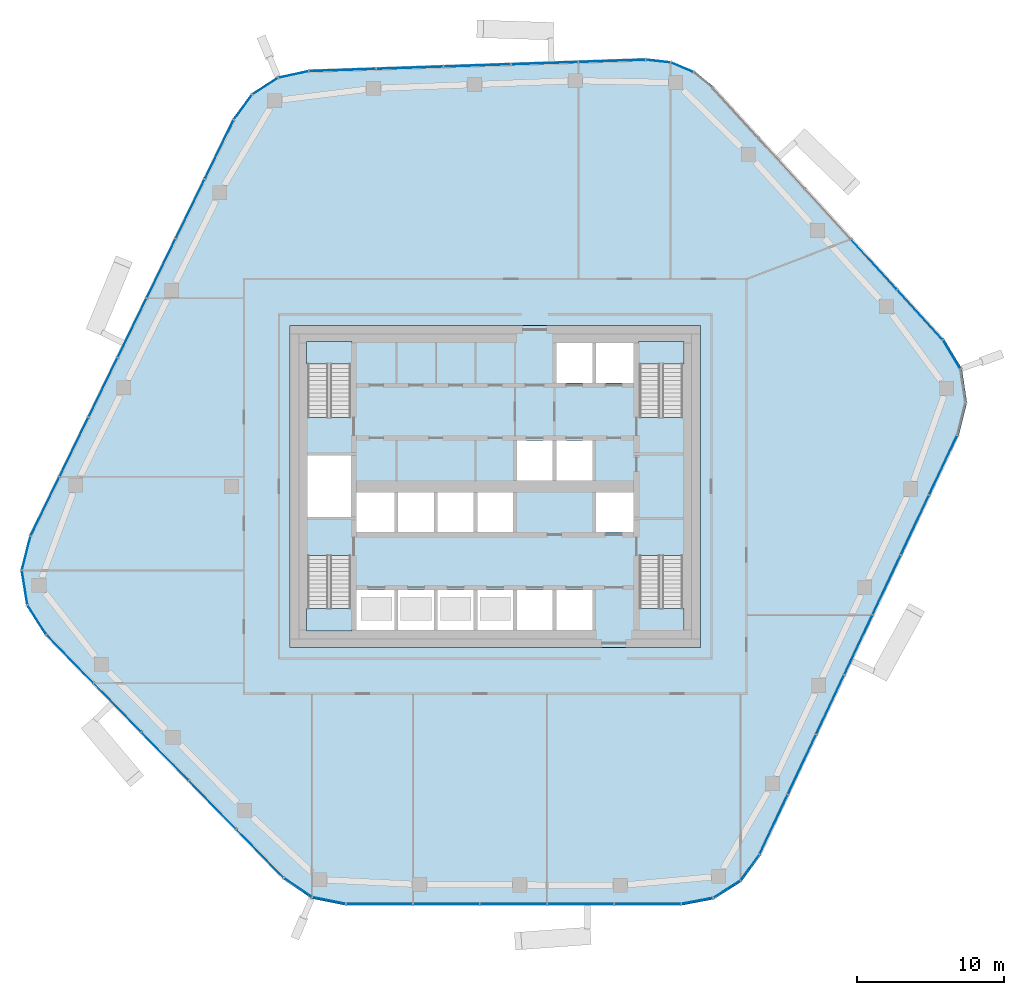
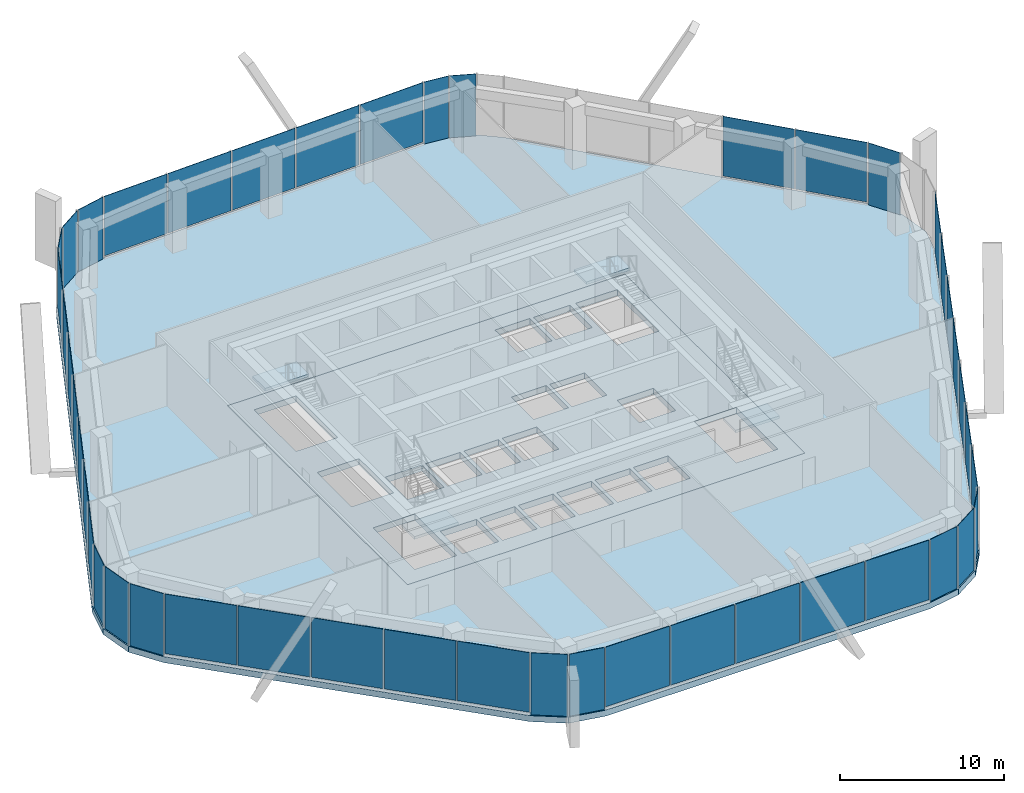
# One storey, part 8 of 20: 45 plates, 6 slabs, 16 elements without a shape of their own.
"""IFC4 building model written with IfcOpenShell, lengths in metres."""

import ifcopenshell
import ifcopenshell.guid

model = None  # the IFC model being written
_history = None  # IfcOwnerHistory: only IFC2X3 demands one
_inside = {}  # id of a spatial element -> (the spatial element, [elements in it])
_under = {}  # id of a project, library or spatial element -> (it, [spatial elements below it])
_declared = {}  # id of a project -> (the project, [libraries it declares])
_typed = {}  # id of a type object -> (the type object, [elements of that type])
_made_of = {}  # id of a material, layer set ... -> (it, [elements and type objects made of it])


def new_model(schema):
    """Start an empty IFC model of exactly this schema.

    Asked for "IFC4X3", IfcOpenShell would pick the latest addendum, in which some entities
    have other attributes; the version numbers below select the first issue.
    IFC2X3 requires an IfcOwnerHistory on every rooted entity: one is made here for all.
    """
    global model, _history
    if schema == "IFC4X3":
        model = ifcopenshell.file(schema_version=(4, 3, 0, 0))
    else:
        model = ifcopenshell.file(schema=schema)
    _inside.clear()
    _under.clear()
    _declared.clear()
    _typed.clear()
    _made_of.clear()
    _history = None
    if model.schema == "IFC2X3":
        org = make("IfcOrganization", Name="unknown")
        user = make(
            "IfcPersonAndOrganization",
            ThePerson=make("IfcPerson", FamilyName="unknown"),
            TheOrganization=org,
        )
        app = make(
            "IfcApplication",
            ApplicationDeveloper=org,
            Version="unknown",
            ApplicationFullName="unknown",
            ApplicationIdentifier="unknown",
        )
        _history = make(
            "IfcOwnerHistory",
            OwningUser=user,
            OwningApplication=app,
            ChangeAction="ADDED",
            CreationDate=0,
        )
    return model


def make(cls, **values):
    """One entity of the class cls with the attributes given. An attribute that is None is left unset."""
    return model.create_entity(
        cls, **{name: value for name, value in values.items() if value is not None}
    )


def rooted(cls, **values):
    """An entity with a GlobalId (a new one), such as an element, a storey or a relation."""
    return make(cls, GlobalId=ifcopenshell.guid.new(), OwnerHistory=_history, **values)


def si_unit(unit_type, name, prefix=None):
    """IfcSIUnit, for example si_unit("LENGTHUNIT", "METRE", prefix="MILLI")."""
    return make("IfcSIUnit", UnitType=unit_type, Prefix=prefix, Name=name)


def assignment(units):
    """IfcUnitAssignment: the units of a project."""
    return None if units is None else make("IfcUnitAssignment", Units=units)


def point(xyz):
    """IfcCartesianPoint."""
    return None if xyz is None else make("IfcCartesianPoint", Coordinates=xyz)


def direction(xyz):
    """IfcDirection."""
    return None if xyz is None else make("IfcDirection", DirectionRatios=xyz)


def frame(location, z_axis=None, x_axis=None):
    """IfcAxis2Placement3D, a coordinate frame: its origin and axes. An axis left out is left unset."""
    return make(
        "IfcAxis2Placement3D",
        Location=point(location),
        Axis=direction(z_axis),
        RefDirection=direction(x_axis),
    )


def frame_2d(location, x_axis=None):
    """IfcAxis2Placement2D, a coordinate frame in the plane: its origin and x axis."""
    return make(
        "IfcAxis2Placement2D", Location=point(location), RefDirection=direction(x_axis)
    )


def origin():
    """The frame at (0, 0, 0) with its axes left unset."""
    return frame((0.0, 0.0, 0.0))


def origin_2d():
    """The frame at (0, 0) in the plane with its x axis left unset."""
    return frame_2d((0.0, 0.0))


def place(relative_to, where):
    """IfcLocalPlacement: puts the frame where relative to a parent placement (None: the world)."""
    return make(
        "IfcLocalPlacement", PlacementRelTo=relative_to, RelativePlacement=where
    )


def context(
    kind, dimensions, precision=None, world=None, true_north=None, identifier=None
):
    """IfcGeometricRepresentationContext, for example the 3D "Model" context."""
    return make(
        "IfcGeometricRepresentationContext",
        ContextIdentifier=identifier,
        ContextType=kind,
        CoordinateSpaceDimension=dimensions,
        Precision=precision,
        WorldCoordinateSystem=world,
        TrueNorth=true_north,
    )


def subcontext(parent, identifier, kind, view, scale=None):
    """IfcGeometricRepresentationSubContext, for example "Body" below "Model"."""
    return make(
        "IfcGeometricRepresentationSubContext",
        ContextIdentifier=identifier,
        ContextType=kind,
        ParentContext=parent,
        TargetScale=scale,
        TargetView=view,
    )


def project(units=None, contexts=None):
    """IfcProject with its units and contexts."""
    return rooted(
        "IfcProject",
        Name="project",
        RepresentationContexts=contexts,
        UnitsInContext=assignment(units),
    )


def spatial(cls, under=None, at=None, **own):
    """A site, building, storey or space (cls), placed at a placement, below another one or the project."""
    s = rooted(cls, ObjectPlacement=at, **own)
    if under is not None:
        _under.setdefault(under.id(), (under, []))[1].append(s)
    return s


def polyline(points):
    """IfcPolyline through the points."""
    return make("IfcPolyline", Points=[point(p) for p in points])


def profile(cls, at=None, kind="AREA", **sizes):
    """A parametric profile (cls). Its sizes go by their IFC names, for example OverallWidth=200.0."""
    return make(cls, ProfileType=kind, Position=at, **sizes)


def rectangle(**sizes):
    """IfcRectangleProfileDef."""
    return profile("IfcRectangleProfileDef", **sizes)


def outline(outer, holes=None, kind="AREA"):
    """IfcArbitraryClosedProfileDef: a profile drawn as a closed curve; with holes, ...WithVoids."""
    if holes is None:
        return make("IfcArbitraryClosedProfileDef", ProfileType=kind, OuterCurve=outer)
    return make(
        "IfcArbitraryProfileDefWithVoids",
        ProfileType=kind,
        OuterCurve=outer,
        InnerCurves=holes,
    )


def extrude(swept, where, along, depth):
    """IfcExtrudedAreaSolid: the profile swept, set in the frame where, extruded along a direction by depth."""
    return make(
        "IfcExtrudedAreaSolid",
        SweptArea=swept,
        Position=where,
        ExtrudedDirection=direction(along),
        Depth=depth,
    )


def shape(context_of_items, identifier, shape_type, items):
    """IfcShapeRepresentation: the items that make up one representation, for example the "Body"."""
    return make(
        "IfcShapeRepresentation",
        ContextOfItems=context_of_items,
        RepresentationIdentifier=identifier,
        RepresentationType=shape_type,
        Items=items,
    )


def material(Name=None, Category=None):
    """IfcMaterial."""
    return make("IfcMaterial", Name=Name, Category=Category)


def layer(
    of_material, thickness, ventilated=None, Name=None, Category=None, Priority=None
):
    """IfcMaterialLayer: one layer of a wall or slab, of a material (None: an air gap)."""
    return make(
        "IfcMaterialLayer",
        Material=of_material,
        LayerThickness=thickness,
        IsVentilated=ventilated,
        Name=Name,
        Category=Category,
        Priority=Priority,
    )


def layer_set(layers, Name=None):
    """IfcMaterialLayerSet."""
    return make("IfcMaterialLayerSet", MaterialLayers=layers, LayerSetName=Name)


def made_of(thing, what):
    """Note that an element or type object is made of a material, layer set ...; save() writes the relation."""
    if what is not None:
        _made_of.setdefault(what.id(), (what, []))[1].append(thing)
    return thing


def type_object(cls, material=None, **own):
    """A type object (cls), such as IfcWallType, which elements share."""
    return made_of(rooted(cls, **own), material)


def element(
    cls,
    number,
    at=None,
    inside=None,
    cuts=None,
    type_object=None,
    material=None,
    context=None,
    identifier="Body",
    shape_type=None,
    held_by="IfcProductDefinitionShape",
    body=None,
    shapes=None,
    **own,
):
    """One element of the class cls, such as IfcWall. Its Tag is "e" and its number.

    at: its placement. inside: the storey or other place that contains it. cuts: it is an
    opening in that element (IfcRelVoidsElement). A single representation is given by context,
    identifier, shape_type and body (its items); several are given by shapes. held_by: the class
    of the entity that holds the representations. save() writes the other relations.
    """
    e = rooted(cls, Tag="e%d" % number, ObjectPlacement=at, **own)
    if body is not None:
        shapes = [shape(context, identifier, shape_type, body)]
    if shapes is not None:
        e.Representation = make(held_by, Representations=shapes)
    if inside is not None:
        _inside.setdefault(inside.id(), (inside, []))[1].append(e)
    if cuts is not None:
        rooted(
            "IfcRelVoidsElement", RelatingBuildingElement=cuts, RelatedOpeningElement=e
        )
    if type_object is not None:
        _typed.setdefault(type_object.id(), (type_object, []))[1].append(e)
    return made_of(e, material)


def aggregate(whole, parts):
    """IfcRelAggregates: a whole, such as a stair, and the parts it consists of."""
    return rooted("IfcRelAggregates", RelatingObject=whole, RelatedObjects=parts)


def save(model, path):
    """Write the relations noted so far, then the file.

    IfcRelAggregates (storeys below a building ...), IfcRelContainedInSpatialStructure (elements
    in a storey), IfcRelDefinesByType, IfcRelAssociatesMaterial and IfcRelDeclares: one each for
    every whole, place, type object, material and project.
    """
    for whole, parts in _under.values():
        aggregate(whole, parts)
    for where, things in _inside.values():
        rooted(
            "IfcRelContainedInSpatialStructure",
            RelatedElements=things,
            RelatingStructure=where,
        )
    for kind, things in _typed.values():
        rooted("IfcRelDefinesByType", RelatedObjects=things, RelatingType=kind)
    for what, things in _made_of.values():
        rooted("IfcRelAssociatesMaterial", RelatedObjects=things, RelatingMaterial=what)
    for by, libraries in _declared.values():
        rooted("IfcRelDeclares", RelatingContext=by, RelatedDefinitions=libraries)
    model.write(path)


model = new_model("IFC4")

# Units and contexts
model_context = context("Model", 3, precision=1e-05, world=origin(), true_north=direction((0.0, 1.0)))
body_context = subcontext(model_context, "Body", "Model", "MODEL_VIEW")
ifc_project = project(units=[si_unit("LENGTHUNIT", "METRE"), si_unit("AREAUNIT", "SQUARE_METRE"), si_unit("VOLUMEUNIT", "CUBIC_METRE"), si_unit("PLANEANGLEUNIT", "RADIAN"), si_unit("MASSUNIT", "GRAM", prefix="KILO")], contexts=[model_context])

# Site, building, storey
site_placement = place(None, origin())
site = spatial("IfcSite", under=ifc_project, at=site_placement, CompositionType="ELEMENT")
building_placement = place(site_placement, origin())
building = spatial("IfcBuilding", under=site, at=building_placement, Name="Dongbaek Canopy Tower", CompositionType="ELEMENT")
storey_placement = place(building_placement, frame((0.0, 0.0, 289.199951171875)))
storey = spatial("IfcBuildingStorey", under=building, at=storey_placement, Name="L61", CompositionType="ELEMENT", Elevation=289.199951171875)

# Curtain wall, plate
ifc_material_1 = material(Name="Aluminium 6063-T6 pale anodised", Category="aluminium")
ifc_layer_1 = layer(ifc_material_1, 0.25)
ifc_layer_set_1 = layer_set([ifc_layer_1], Name="CW-4 sky-lobby curtain wall")
curtain_wall_type = type_object("IfcCurtainWallType", Name="CW-4 sky-lobby curtain wall", PredefinedType="NOTDEFINED", material=ifc_layer_set_1)
curtain_wall_1_placement = place(storey_placement, origin())
curtain_wall_1 = element("IfcCurtainWall", 1, at=curtain_wall_1_placement, inside=storey, type_object=curtain_wall_type, Name="CW-4 curtain wall K0.1", PredefinedType="NOTDEFINED")
ifc_material_2 = material(Name="Clear laminated glass", Category="glass")
ifc_layer_2 = layer(ifc_material_2, 0.035888671875)
ifc_layer_set_2 = layer_set([ifc_layer_2], Name="CW-4 glazed panel 36")
plate_type = type_object("IfcPlateType", Name="CW-4 glazed panel 36", PredefinedType="CURTAIN_PANEL", material=ifc_layer_set_2)
plate_1_placement = place(storey_placement, frame((31.150146484375, 9.005126953125, 0.0), z_axis=(0.0, 0.0, 1.0), x_axis=(-0.51688387345, 0.856055524699, 0.0)))
plate_1 = element("IfcPlate", 2, at=plate_1_placement, type_object=plate_type, Name="CW-4 panel K0.1.3.1", PredefinedType="CURTAIN_PANEL", context=body_context, shape_type="SweptSolid", body=[
    extrude(rectangle(XDim=2.222900390625, YDim=0.035888671875, at=origin_2d()), origin(), (0.0, 0.0, 1.0), 4.6201171875),
])
aggregate(curtain_wall_1, [plate_1])

# Curtain wall, plates
curtain_wall_2_placement = place(storey_placement, origin())
curtain_wall_2 = element("IfcCurtainWall", 3, at=curtain_wall_2_placement, inside=storey, type_object=curtain_wall_type, Name="CW-4 curtain wall F0.1", PredefinedType="NOTDEFINED")
plate_2_placement = place(storey_placement, frame((28.983154296875, 11.714111328125, 0.18017578125), z_axis=(0.0, 0.0, 1.0), x_axis=(-0.674307608715, 0.738450573044, 0.0)))
plate_2 = element("IfcPlate", 4, at=plate_2_placement, type_object=plate_type, Name="CW-4 panel F0.1.1.1", PredefinedType="CURTAIN_PANEL", context=body_context, shape_type="SweptSolid", body=[
    extrude(rectangle(XDim=4.55712890625, YDim=0.035888671875, at=origin_2d()), origin(), (0.0, 0.0, 1.0), 4.43994140625),
])
plate_3_placement = place(storey_placement, frame((25.843505859375, 15.15234375, 0.18017578125), z_axis=(0.0, 0.0, 1.0), x_axis=(-0.674307608715, 0.738450573044, 0.0)))
plate_3 = element("IfcPlate", 5, at=plate_3_placement, type_object=plate_type, Name="CW-4 panel F0.1.2.1", PredefinedType="CURTAIN_PANEL", context=body_context, shape_type="SweptSolid", body=[
    extrude(rectangle(XDim=4.56689453125, YDim=0.035888671875, at=origin_2d()), origin(), (0.0, 0.0, 1.0), 4.43994140625),
])
aggregate(curtain_wall_2, [plate_2, plate_3])

curtain_wall_3_placement = place(storey_placement, origin())
curtain_wall_3 = element("IfcCurtainWall", 6, at=curtain_wall_3_placement, inside=storey, type_object=curtain_wall_type, Name="CW-4 curtain wall K1.1", PredefinedType="NOTDEFINED")
plate_4_placement = place(storey_placement, frame((12.751220703125, 28.60107421875, 0.0), z_axis=(0.0, 0.0, 1.0), x_axis=(-0.921675015451, 0.387962840867, 0.0)))
plate_4 = element("IfcPlate", 7, at=plate_4_placement, type_object=plate_type, Name="CW-4 panel K1.1.2.1", PredefinedType="CURTAIN_PANEL", context=body_context, shape_type="SweptSolid", body=[
    extrude(rectangle(XDim=1.600341796875, YDim=0.035888671875, at=origin_2d()), origin(), (0.0, 0.0, 1.0), 4.6201171875),
])
plate_5_placement = place(storey_placement, frame((11.124755859375, 29.0234375, 0.0), z_axis=(0.0, 0.0, 1.0), x_axis=(-0.993935511515, 0.10996453496, 0.0)))
plate_5 = element("IfcPlate", 8, at=plate_5_placement, type_object=plate_type, Name="CW-4 panel K1.1.3.1", PredefinedType="CURTAIN_PANEL", context=body_context, shape_type="SweptSolid", body=[
    extrude(rectangle(XDim=1.607666015625, YDim=0.035888671875, at=origin_2d()), origin(), (0.0, 0.0, 1.0), 4.6201171875),
])
aggregate(curtain_wall_3, [plate_4, plate_5])

curtain_wall_4_placement = place(storey_placement, origin())
curtain_wall_4 = element("IfcCurtainWall", 9, at=curtain_wall_4_placement, inside=storey, type_object=curtain_wall_type, Name="CW-4 curtain wall F1.1", PredefinedType="NOTDEFINED")
plate_6_placement = place(storey_placement, frame((7.980224609375, 29.0390625, 0.18017578125), z_axis=(0.0, 0.0, 1.0), x_axis=(-0.999424463692, -0.033922579131, 0.0)))
plate_6 = element("IfcPlate", 10, at=plate_6_placement, type_object=plate_type, Name="CW-4 panel F1.1.1.1", PredefinedType="CURTAIN_PANEL", context=body_context, shape_type="SweptSolid", body=[
    extrude(rectangle(XDim=4.506103515625, YDim=0.035888671875, at=origin_2d()), origin(), (0.0, 0.0, 1.0), 4.43994140625),
])
plate_7_placement = place(storey_placement, frame((3.379150390625, 28.8828125, 0.18017578125), z_axis=(0.0, 0.0, 1.0), x_axis=(-0.999424463692, -0.033922579131, 0.0)))
plate_7 = element("IfcPlate", 11, at=plate_7_placement, type_object=plate_type, Name="CW-4 panel F1.1.2.1", PredefinedType="CURTAIN_PANEL", context=body_context, shape_type="SweptSolid", body=[
    extrude(rectangle(XDim=4.513427734375, YDim=0.035888671875, at=origin_2d()), origin(), (0.0, 0.0, 1.0), 4.43994140625),
])
plate_8_placement = place(storey_placement, frame((-1.2255859375, 28.7265625, 0.18017578125), z_axis=(0.0, 0.0, 1.0), x_axis=(-0.999424463692, -0.033922579131, 0.0)))
plate_8 = element("IfcPlate", 12, at=plate_8_placement, type_object=plate_type, Name="CW-4 panel F1.1.3.1", PredefinedType="CURTAIN_PANEL", context=body_context, shape_type="SweptSolid", body=[
    extrude(rectangle(XDim=4.513427734375, YDim=0.035888671875, at=origin_2d()), origin(), (0.0, 0.0, 1.0), 4.43994140625),
])
plate_9_placement = place(storey_placement, frame((-5.830322265625, 28.5703125, 0.18017578125), z_axis=(0.0, 0.0, 1.0), x_axis=(-0.999424463692, -0.033922579131, 0.0)))
plate_9 = element("IfcPlate", 13, at=plate_9_placement, type_object=plate_type, Name="CW-4 panel F1.1.4.1", PredefinedType="CURTAIN_PANEL", context=body_context, shape_type="SweptSolid", body=[
    extrude(rectangle(XDim=4.513427734375, YDim=0.035888671875, at=origin_2d()), origin(), (0.0, 0.0, 1.0), 4.43994140625),
])
plate_10_placement = place(storey_placement, frame((-10.430419921875, 28.4140625, 0.18017578125), z_axis=(0.0, 0.0, 1.0), x_axis=(-0.999424463692, -0.033922579131, 0.0)))
plate_10 = element("IfcPlate", 14, at=plate_10_placement, type_object=plate_type, Name="CW-4 panel F1.1.5.1", PredefinedType="CURTAIN_PANEL", context=body_context, shape_type="SweptSolid", body=[
    extrude(rectangle(XDim=4.50439453125, YDim=0.035888671875, at=origin_2d()), origin(), (0.0, 0.0, 1.0), 4.43994140625),
])
aggregate(curtain_wall_4, [plate_6, plate_7, plate_8, plate_9, plate_10])

curtain_wall_5_placement = place(storey_placement, origin())
curtain_wall_5 = element("IfcCurtainWall", 15, at=curtain_wall_5_placement, inside=storey, type_object=curtain_wall_type, Name="CW-4 curtain wall K2.1", PredefinedType="NOTDEFINED")
plate_11_placement = place(storey_placement, frame((-13.767333984375, 28.10986328125, 0.0), z_axis=(0.0, 0.0, 1.0), x_axis=(-0.977105379608, -0.212755909767, 0.0)))
plate_11 = element("IfcPlate", 16, at=plate_11_placement, type_object=plate_type, Name="CW-4 panel K2.1.1.1", PredefinedType="CURTAIN_PANEL", context=body_context, shape_type="SweptSolid", body=[
    extrude(rectangle(XDim=2.032470703125, YDim=0.035888671875, at=origin_2d()), origin(), (0.0, 0.0, 1.0), 4.6201171875),
])
plate_12_placement = place(storey_placement, frame((-15.694580078125, 27.3076171875, 0.0), z_axis=(0.0, 0.0, 1.0), x_axis=(-0.839015202861, -0.544107975835, 0.0)))
plate_12 = element("IfcPlate", 17, at=plate_12_placement, type_object=plate_type, Name="CW-4 panel K2.1.2.1", PredefinedType="CURTAIN_PANEL", context=body_context, shape_type="SweptSolid", body=[
    extrude(rectangle(XDim=2.0234375, YDim=0.035888671875, at=origin_2d()), origin(), (0.0, 0.0, 1.0), 4.6201171875),
])
plate_13_placement = place(storey_placement, frame((-17.213134765625, 25.875244140625, 0.0), z_axis=(0.0, 0.0, 1.0), x_axis=(-0.592806935689, -0.805344607605, 0.0)))
plate_13 = element("IfcPlate", 18, at=plate_13_placement, type_object=plate_type, Name="CW-4 panel K2.1.3.1", PredefinedType="CURTAIN_PANEL", context=body_context, shape_type="SweptSolid", body=[
    extrude(rectangle(XDim=2.032470703125, YDim=0.035888671875, at=origin_2d()), origin(), (0.0, 0.0, 1.0), 4.6201171875),
])
aggregate(curtain_wall_5, [plate_11, plate_12, plate_13])

curtain_wall_6_placement = place(storey_placement, origin())
curtain_wall_6 = element("IfcCurtainWall", 19, at=curtain_wall_6_placement, inside=storey, type_object=curtain_wall_type, Name="CW-4 curtain wall F2.1", PredefinedType="NOTDEFINED")
plate_14_placement = place(storey_placement, frame((-18.83251953125, 22.992431640625, 0.18017578125), z_axis=(0.0, 0.0, 1.0), x_axis=(-0.438630587215, -0.898667462391, 0.0)))
plate_14 = element("IfcPlate", 20, at=plate_14_placement, type_object=plate_type, Name="CW-4 panel F2.1.1.1", PredefinedType="CURTAIN_PANEL", context=body_context, shape_type="SweptSolid", body=[
    extrude(rectangle(XDim=4.415771484375, YDim=0.035888671875, at=origin_2d()), origin(), (0.0, 0.0, 1.0), 4.43994140625),
])
plate_15_placement = place(storey_placement, frame((-20.8125, 18.935546875, 0.18017578125), z_axis=(0.0, 0.0, 1.0), x_axis=(-0.438630587215, -0.898667462391, 0.0)))
plate_15 = element("IfcPlate", 21, at=plate_15_placement, type_object=plate_type, Name="CW-4 panel F2.1.2.1", PredefinedType="CURTAIN_PANEL", context=body_context, shape_type="SweptSolid", body=[
    extrude(rectangle(XDim=4.4248046875, YDim=0.035888671875, at=origin_2d()), origin(), (0.0, 0.0, 1.0), 4.43994140625),
])
plate_16_placement = place(storey_placement, frame((-22.794677734375, 14.874755859375, 0.18017578125), z_axis=(0.0, 0.0, 1.0), x_axis=(-0.438630587215, -0.898667462391, 0.0)))
plate_16 = element("IfcPlate", 22, at=plate_16_placement, type_object=plate_type, Name="CW-4 panel F2.1.3.1", PredefinedType="CURTAIN_PANEL", context=body_context, shape_type="SweptSolid", body=[
    extrude(rectangle(XDim=4.4248046875, YDim=0.035888671875, at=origin_2d()), origin(), (0.0, 0.0, 1.0), 4.43994140625),
])
plate_17_placement = place(storey_placement, frame((-24.77685546875, 10.813720703125, 0.18017578125), z_axis=(0.0, 0.0, 1.0), x_axis=(-0.438630587215, -0.898667462391, 0.0)))
plate_17 = element("IfcPlate", 23, at=plate_17_placement, type_object=plate_type, Name="CW-4 panel F2.1.4.1", PredefinedType="CURTAIN_PANEL", context=body_context, shape_type="SweptSolid", body=[
    extrude(rectangle(XDim=4.4248046875, YDim=0.035888671875, at=origin_2d()), origin(), (0.0, 0.0, 1.0), 4.43994140625),
])
plate_18_placement = place(storey_placement, frame((-26.759033203125, 6.752685546875, 0.18017578125), z_axis=(0.0, 0.0, 1.0), x_axis=(-0.438630587215, -0.898667462391, 0.0)))
plate_18 = element("IfcPlate", 24, at=plate_18_placement, type_object=plate_type, Name="CW-4 panel F2.1.5.1", PredefinedType="CURTAIN_PANEL", context=body_context, shape_type="SweptSolid", body=[
    extrude(rectangle(XDim=4.4248046875, YDim=0.035888671875, at=origin_2d()), origin(), (0.0, 0.0, 1.0), 4.43994140625),
])
plate_19_placement = place(storey_placement, frame((-28.740966796875, 2.69189453125, 0.18017578125), z_axis=(0.0, 0.0, 1.0), x_axis=(-0.438630587215, -0.898667462391, 0.0)))
plate_19 = element("IfcPlate", 25, at=plate_19_placement, type_object=plate_type, Name="CW-4 panel F2.1.6.1", PredefinedType="CURTAIN_PANEL", context=body_context, shape_type="SweptSolid", body=[
    extrude(rectangle(XDim=4.4248046875, YDim=0.035888671875, at=origin_2d()), origin(), (0.0, 0.0, 1.0), 4.43994140625),
])
plate_20_placement = place(storey_placement, frame((-30.720947265625, -1.364501953125, 0.18017578125), z_axis=(0.0, 0.0, 1.0), x_axis=(-0.438630587215, -0.898667462391, 0.0)))
plate_20 = element("IfcPlate", 26, at=plate_20_placement, type_object=plate_type, Name="CW-4 panel F2.1.7.1", PredefinedType="CURTAIN_PANEL", context=body_context, shape_type="SweptSolid", body=[
    extrude(rectangle(XDim=4.41455078125, YDim=0.035888671875, at=origin_2d()), origin(), (0.0, 0.0, 1.0), 4.43994140625),
])
aggregate(curtain_wall_6, [plate_14, plate_15, plate_16, plate_17, plate_18, plate_19, plate_20])

curtain_wall_7_placement = place(storey_placement, origin())
curtain_wall_7 = element("IfcCurtainWall", 27, at=curtain_wall_7_placement, inside=storey, type_object=curtain_wall_type, Name="CW-4 curtain wall K3.1", PredefinedType="NOTDEFINED")
plate_21_placement = place(storey_placement, frame((-32.0068359375, -4.556640625, 0.0), z_axis=(0.0, 0.0, 1.0), x_axis=(-0.246922769647, -0.969035162329, 0.0)))
plate_21 = element("IfcPlate", 28, at=plate_21_placement, type_object=plate_type, Name="CW-4 panel K3.1.1.1", PredefinedType="CURTAIN_PANEL", context=body_context, shape_type="SweptSolid", body=[
    extrude(rectangle(XDim=2.312744140625, YDim=0.035888671875, at=origin_2d()), origin(), (0.0, 0.0, 1.0), 4.6201171875),
])
plate_22_placement = place(storey_placement, frame((-32.113525390625, -6.905517578125, 0.0), z_axis=(0.0, 0.0, 1.0), x_axis=(0.158961166328, -0.987284836103, 0.0)))
plate_22 = element("IfcPlate", 29, at=plate_22_placement, type_object=plate_type, Name="CW-4 panel K3.1.2.1", PredefinedType="CURTAIN_PANEL", context=body_context, shape_type="SweptSolid", body=[
    extrude(rectangle(XDim=2.30224609375, YDim=0.035888671875, at=origin_2d()), origin(), (0.0, 0.0, 1.0), 4.6201171875),
])
plate_23_placement = place(storey_placement, frame((-31.27490234375, -9.102294921875, 0.0), z_axis=(0.0, 0.0, 1.0), x_axis=(0.538604616357, -0.842558643204, 0.0)))
plate_23 = element("IfcPlate", 30, at=plate_23_placement, type_object=plate_type, Name="CW-4 panel K3.1.3.1", PredefinedType="CURTAIN_PANEL", context=body_context, shape_type="SweptSolid", body=[
    extrude(rectangle(XDim=2.312744140625, YDim=0.035888671875, at=origin_2d()), origin(), (0.0, 0.0, 1.0), 4.6201171875),
])
aggregate(curtain_wall_7, [plate_21, plate_22, plate_23])

curtain_wall_8_placement = place(storey_placement, origin())
curtain_wall_8 = element("IfcCurtainWall", 31, at=curtain_wall_8_placement, inside=storey, type_object=curtain_wall_type, Name="CW-4 curtain wall F3.1", PredefinedType="NOTDEFINED")
plate_24_placement = place(storey_placement, frame((-29.009521484375, -11.773193359375, 0.18017578125), z_axis=(0.0, 0.0, 1.0), x_axis=(0.698537031032, -0.715573906928, 0.0)))
plate_24 = element("IfcPlate", 32, at=plate_24_placement, type_object=plate_type, Name="CW-4 panel F3.1.1.1", PredefinedType="CURTAIN_PANEL", context=body_context, shape_type="SweptSolid", body=[
    extrude(rectangle(XDim=4.53662109375, YDim=0.035888671875, at=origin_2d()), origin(), (0.0, 0.0, 1.0), 4.43994140625),
])
plate_25_placement = place(storey_placement, frame((-25.77099609375, -15.09033203125, 0.18017578125), z_axis=(0.0, 0.0, 1.0), x_axis=(0.698537031032, -0.715573906928, 0.0)))
plate_25 = element("IfcPlate", 33, at=plate_25_placement, type_object=plate_type, Name="CW-4 panel F3.1.2.1", PredefinedType="CURTAIN_PANEL", context=body_context, shape_type="SweptSolid", body=[
    extrude(rectangle(XDim=4.546875, YDim=0.035888671875, at=origin_2d()), origin(), (0.0, 0.0, 1.0), 4.43994140625),
])
plate_26_placement = place(storey_placement, frame((-22.529296875, -18.411376953125, 0.18017578125), z_axis=(0.0, 0.0, 1.0), x_axis=(0.698537031032, -0.715573906928, 0.0)))
plate_26 = element("IfcPlate", 34, at=plate_26_placement, type_object=plate_type, Name="CW-4 panel F3.1.3.1", PredefinedType="CURTAIN_PANEL", context=body_context, shape_type="SweptSolid", body=[
    extrude(rectangle(XDim=4.546875, YDim=0.035888671875, at=origin_2d()), origin(), (0.0, 0.0, 1.0), 4.43994140625),
])
plate_27_placement = place(storey_placement, frame((-19.287353515625, -21.732421875, 0.18017578125), z_axis=(0.0, 0.0, 1.0), x_axis=(0.698537031032, -0.715573906928, 0.0)))
plate_27 = element("IfcPlate", 35, at=plate_27_placement, type_object=plate_type, Name="CW-4 panel F3.1.4.1", PredefinedType="CURTAIN_PANEL", context=body_context, shape_type="SweptSolid", body=[
    extrude(rectangle(XDim=4.546875, YDim=0.035888671875, at=origin_2d()), origin(), (0.0, 0.0, 1.0), 4.43994140625),
])
plate_28_placement = place(storey_placement, frame((-16.048828125, -25.0498046875, 0.18017578125), z_axis=(0.0, 0.0, 1.0), x_axis=(0.698537031032, -0.715573906928, 0.0)))
plate_28 = element("IfcPlate", 36, at=plate_28_placement, type_object=plate_type, Name="CW-4 panel F3.1.5.1", PredefinedType="CURTAIN_PANEL", context=body_context, shape_type="SweptSolid", body=[
    extrude(rectangle(XDim=4.537109375, YDim=0.035888671875, at=origin_2d()), origin(), (0.0, 0.0, 1.0), 4.43994140625),
])
aggregate(curtain_wall_8, [plate_24, plate_25, plate_26, plate_27, plate_28])

curtain_wall_9_placement = place(storey_placement, origin())
curtain_wall_9 = element("IfcCurtainWall", 37, at=curtain_wall_9_placement, inside=storey, type_object=curtain_wall_type, Name="CW-4 curtain wall K4.1", PredefinedType="NOTDEFINED")
plate_29_placement = place(storey_placement, frame((-13.4619140625, -27.3671875, 0.0), z_axis=(0.0, 0.0, 1.0), x_axis=(0.826419234872, -0.563055279909, 0.0)))
plate_29 = element("IfcPlate", 38, at=plate_29_placement, type_object=plate_type, Name="CW-4 panel K4.1.1.1", PredefinedType="CURTAIN_PANEL", context=body_context, shape_type="SweptSolid", body=[
    extrude(rectangle(XDim=2.25244140625, YDim=0.035888671875, at=origin_2d()), origin(), (0.0, 0.0, 1.0), 4.6201171875),
])
plate_30_placement = place(storey_placement, frame((-11.34228515625, -28.260009765625, 0.0), z_axis=(0.0, 0.0, 1.0), x_axis=(0.980196727626, -0.198026198145, 0.0)))
plate_30 = element("IfcPlate", 39, at=plate_30_placement, type_object=plate_type, Name="CW-4 panel K4.1.2.1", PredefinedType="CURTAIN_PANEL", context=body_context, shape_type="SweptSolid", body=[
    extrude(rectangle(XDim=2.25244140625, YDim=0.035888671875, at=origin_2d()), origin(), (0.0, 0.0, 1.0), 4.6201171875),
])
aggregate(curtain_wall_9, [plate_29, plate_30])

curtain_wall_10_placement = place(storey_placement, origin())
curtain_wall_10 = element("IfcCurtainWall", 40, at=curtain_wall_10_placement, inside=storey, type_object=curtain_wall_type, Name="CW-4 curtain wall F4.1", PredefinedType="NOTDEFINED")
plate_31_placement = place(storey_placement, frame((-7.90673828125, -28.492431640625, 0.18017578125), z_axis=(0.0, 0.0, 1.0), x_axis=(0.999999999728, 2.3341283e-05, 0.0)))
plate_31 = element("IfcPlate", 41, at=plate_31_placement, type_object=plate_type, Name="CW-4 panel F4.1.1.1", PredefinedType="CURTAIN_PANEL", context=body_context, shape_type="SweptSolid", body=[
    extrude(rectangle(XDim=4.477294921875, YDim=0.035888671875, at=origin_2d()), origin(), (0.0, 0.0, 1.0), 4.43994140625),
])
plate_32_placement = place(storey_placement, frame((-3.330322265625, -28.4921875, 0.18017578125), z_axis=(0.0, 0.0, 1.0), x_axis=(0.999999999728, 2.3341283e-05, 0.0)))
plate_32 = element("IfcPlate", 42, at=plate_32_placement, type_object=plate_type, Name="CW-4 panel F4.1.2.1", PredefinedType="CURTAIN_PANEL", context=body_context, shape_type="SweptSolid", body=[
    extrude(rectangle(XDim=4.4873046875, YDim=0.035888671875, at=origin_2d()), origin(), (0.0, 0.0, 1.0), 4.43994140625),
])
plate_33_placement = place(storey_placement, frame((1.2509765625, -28.4921875, 0.18017578125), z_axis=(0.0, 0.0, 1.0), x_axis=(0.999999999728, 2.3341283e-05, 0.0)))
plate_33 = element("IfcPlate", 43, at=plate_33_placement, type_object=plate_type, Name="CW-4 panel F4.1.3.1", PredefinedType="CURTAIN_PANEL", context=body_context, shape_type="SweptSolid", body=[
    extrude(rectangle(XDim=4.4873046875, YDim=0.035888671875, at=origin_2d()), origin(), (0.0, 0.0, 1.0), 4.43994140625),
])
plate_34_placement = place(storey_placement, frame((5.832275390625, -28.4921875, 0.18017578125), z_axis=(0.0, 0.0, 1.0), x_axis=(0.999999999728, 2.3341283e-05, 0.0)))
plate_34 = element("IfcPlate", 44, at=plate_34_placement, type_object=plate_type, Name="CW-4 panel F4.1.4.1", PredefinedType="CURTAIN_PANEL", context=body_context, shape_type="SweptSolid", body=[
    extrude(rectangle(XDim=4.4873046875, YDim=0.035888671875, at=origin_2d()), origin(), (0.0, 0.0, 1.0), 4.43994140625),
])
plate_35_placement = place(storey_placement, frame((10.408935546875, -28.491943359375, 0.18017578125), z_axis=(0.0, 0.0, 1.0), x_axis=(0.999999999728, 2.3341283e-05, 0.0)))
plate_35 = element("IfcPlate", 45, at=plate_35_placement, type_object=plate_type, Name="CW-4 panel F4.1.5.1", PredefinedType="CURTAIN_PANEL", context=body_context, shape_type="SweptSolid", body=[
    extrude(rectangle(XDim=4.47802734375, YDim=0.035888671875, at=origin_2d()), origin(), (0.0, 0.0, 1.0), 4.43994140625),
])
aggregate(curtain_wall_10, [plate_31, plate_32, plate_33, plate_34, plate_35])

curtain_wall_11_placement = place(storey_placement, origin())
curtain_wall_11 = element("IfcCurtainWall", 46, at=curtain_wall_11_placement, inside=storey, type_object=curtain_wall_type, Name="CW-4 curtain wall K5.1", PredefinedType="NOTDEFINED")
plate_36_placement = place(storey_placement, frame((13.7841796875, -28.2841796875, 0.0), z_axis=(0.0, 0.0, 1.0), x_axis=(0.982316990713, 0.187225344858, 0.0)))
plate_36 = element("IfcPlate", 47, at=plate_36_placement, type_object=plate_type, Name="CW-4 panel K5.1.1.1", PredefinedType="CURTAIN_PANEL", context=body_context, shape_type="SweptSolid", body=[
    extrude(rectangle(XDim=2.1240234375, YDim=0.035888671875, at=origin_2d()), origin(), (0.0, 0.0, 1.0), 4.6201171875),
])
plate_37_placement = place(storey_placement, frame((15.80615234375, -27.485595703125, 0.0), z_axis=(0.0, 0.0, 1.0), x_axis=(0.844608059168, 0.535385119692, 0.0)))
plate_37 = element("IfcPlate", 48, at=plate_37_placement, type_object=plate_type, Name="CW-4 panel K5.1.2.1", PredefinedType="CURTAIN_PANEL", context=body_context, shape_type="SweptSolid", body=[
    extrude(rectangle(XDim=2.1142578125, YDim=0.035888671875, at=origin_2d()), origin(), (0.0, 0.0, 1.0), 4.6201171875),
])
plate_38_placement = place(storey_placement, frame((17.391357421875, -25.997802734375, 0.0), z_axis=(0.0, 0.0, 1.0), x_axis=(0.588502832539, 0.808495155269, 0.0)))
plate_38 = element("IfcPlate", 49, at=plate_38_placement, type_object=plate_type, Name="CW-4 panel K5.1.3.1", PredefinedType="CURTAIN_PANEL", context=body_context, shape_type="SweptSolid", body=[
    extrude(rectangle(XDim=2.1240234375, YDim=0.035888671875, at=origin_2d()), origin(), (0.0, 0.0, 1.0), 4.6201171875),
])
aggregate(curtain_wall_11, [plate_36, plate_37, plate_38])

curtain_wall_12_placement = place(storey_placement, origin())
curtain_wall_12 = element("IfcCurtainWall", 50, at=curtain_wall_12_placement, inside=storey, type_object=curtain_wall_type, Name="CW-4 curtain wall F5.1", PredefinedType="NOTDEFINED")
plate_39_placement = place(storey_placement, frame((19.006103515625, -23.0625, 0.18017578125), z_axis=(0.0, 0.0, 1.0), x_axis=(0.426746656524, 0.904371213134, 0.0)))
plate_39 = element("IfcPlate", 51, at=plate_39_placement, type_object=plate_type, Name="CW-4 panel F5.1.1.1", PredefinedType="CURTAIN_PANEL", context=body_context, shape_type="SweptSolid", body=[
    extrude(rectangle(XDim=4.414794921875, YDim=0.035888671875, at=origin_2d()), origin(), (0.0, 0.0, 1.0), 4.43994140625),
])
plate_40_placement = place(storey_placement, frame((20.93212890625, -18.98046875, 0.18017578125), z_axis=(0.0, 0.0, 1.0), x_axis=(0.426746656524, 0.904371213134, 0.0)))
plate_40 = element("IfcPlate", 52, at=plate_40_placement, type_object=plate_type, Name="CW-4 panel F5.1.2.1", PredefinedType="CURTAIN_PANEL", context=body_context, shape_type="SweptSolid", body=[
    extrude(rectangle(XDim=4.42431640625, YDim=0.035888671875, at=origin_2d()), origin(), (0.0, 0.0, 1.0), 4.43994140625),
])
plate_41_placement = place(storey_placement, frame((22.8603515625, -14.894287109375, 0.18017578125), z_axis=(0.0, 0.0, 1.0), x_axis=(0.426746656524, 0.904371213134, 0.0)))
plate_41 = element("IfcPlate", 53, at=plate_41_placement, type_object=plate_type, Name="CW-4 panel F5.1.3.1", PredefinedType="CURTAIN_PANEL", context=body_context, shape_type="SweptSolid", body=[
    extrude(rectangle(XDim=4.42431640625, YDim=0.035888671875, at=origin_2d()), origin(), (0.0, 0.0, 1.0), 4.43994140625),
])
plate_42_placement = place(storey_placement, frame((24.78857421875, -10.80810546875, 0.18017578125), z_axis=(0.0, 0.0, 1.0), x_axis=(0.426746656524, 0.904371213134, 0.0)))
plate_42 = element("IfcPlate", 54, at=plate_42_placement, type_object=plate_type, Name="CW-4 panel F5.1.4.1", PredefinedType="CURTAIN_PANEL", context=body_context, shape_type="SweptSolid", body=[
    extrude(rectangle(XDim=4.42431640625, YDim=0.035888671875, at=origin_2d()), origin(), (0.0, 0.0, 1.0), 4.43994140625),
])
plate_43_placement = place(storey_placement, frame((26.716552734375, -6.72216796875, 0.18017578125), z_axis=(0.0, 0.0, 1.0), x_axis=(0.426746656524, 0.904371213134, 0.0)))
plate_43 = element("IfcPlate", 55, at=plate_43_placement, type_object=plate_type, Name="CW-4 panel F5.1.5.1", PredefinedType="CURTAIN_PANEL", context=body_context, shape_type="SweptSolid", body=[
    extrude(rectangle(XDim=4.42431640625, YDim=0.035888671875, at=origin_2d()), origin(), (0.0, 0.0, 1.0), 4.43994140625),
])
plate_44_placement = place(storey_placement, frame((28.644775390625, -2.635986328125, 0.18017578125), z_axis=(0.0, 0.0, 1.0), x_axis=(0.426746656524, 0.904371213134, 0.0)))
plate_44 = element("IfcPlate", 56, at=plate_44_placement, type_object=plate_type, Name="CW-4 panel F5.1.6.1", PredefinedType="CURTAIN_PANEL", context=body_context, shape_type="SweptSolid", body=[
    extrude(rectangle(XDim=4.42431640625, YDim=0.035888671875, at=origin_2d()), origin(), (0.0, 0.0, 1.0), 4.43994140625),
])
plate_45_placement = place(storey_placement, frame((30.57080078125, 1.44580078125, 0.18017578125), z_axis=(0.0, 0.0, 1.0), x_axis=(0.426746656524, 0.904371213134, 0.0)))
plate_45 = element("IfcPlate", 57, at=plate_45_placement, type_object=plate_type, Name="CW-4 panel F5.1.7.1", PredefinedType="CURTAIN_PANEL", context=body_context, shape_type="SweptSolid", body=[
    extrude(rectangle(XDim=4.414306640625, YDim=0.035888671875, at=origin_2d()), origin(), (0.0, 0.0, 1.0), 4.43994140625),
])
aggregate(curtain_wall_12, [plate_39, plate_40, plate_41, plate_42, plate_43, plate_44, plate_45])

# Slab
ifc_material_3 = material(Name="Concrete C40/50", Category="concrete")
ifc_layer_3 = layer(ifc_material_3, 0.449951171875)
ifc_layer_set_3 = layer_set([ifc_layer_3], Name="Core floor slab 450 Concrete C40/50")
slab_type_1 = type_object("IfcSlabType", Name="Core floor slab 450 Concrete C40/50", PredefinedType="FLOOR", material=ifc_layer_set_3)
slab_1_placement = place(storey_placement, frame((0.0, 0.0, -0.449951171875)))
element("IfcSlab", 58, at=slab_1_placement, inside=storey, type_object=slab_type_1, Name="Core floor slab L61", PredefinedType="FLOOR", context=body_context, shape_type="SweptSolid", body=[
    extrude(outline(polyline([(14.0, -11.0), (14.0, 11.0), (-14.0, 11.0), (-14.0, -11.0), (14.0, -11.0)]), holes=[polyline([(-12.800048828125, 2.10009765625), (-9.85009765625, 2.10009765625), (-9.85009765625, -2.10009765625), (-12.800048828125, -2.10009765625), (-12.800048828125, 2.10009765625)]), polyline([(6.625, 9.800048828125), (6.625, 7.074951171875), (4.175048828125, 7.074951171875), (4.175048828125, 9.800048828125), (6.625, 9.800048828125)]), polyline([(9.449951171875, 7.074951171875), (6.875, 7.074951171875), (6.875, 9.800048828125), (9.449951171875, 9.800048828125), (9.449951171875, 7.074951171875)]), polyline([(1.47509765625, 3.125), (3.925048828125, 3.125), (3.925048828125, 0.39990234375), (1.47509765625, 0.39990234375), (1.47509765625, 3.125)]), polyline([(4.175048828125, 3.125), (6.625, 3.125), (6.625, 0.39990234375), (4.175048828125, 0.39990234375), (4.175048828125, 3.125)]), polyline([(-9.449951171875, -0.39990234375), (-6.875, -0.39990234375), (-6.875, -3.125), (-9.449951171875, -3.125), (-9.449951171875, -0.39990234375)]), polyline([(-6.625, -0.39990234375), (-4.175048828125, -0.39990234375), (-4.175048828125, -3.125), (-6.625, -3.125), (-6.625, -0.39990234375)]), polyline([(-3.925048828125, -0.39990234375), (-1.47509765625, -0.39990234375), (-1.47509765625, -3.125), (-3.925048828125, -3.125), (-3.925048828125, -0.39990234375)]), polyline([(-1.22509765625, -0.39990234375), (1.22509765625, -0.39990234375), (1.22509765625, -3.125), (-1.22509765625, -3.125), (-1.22509765625, -0.39990234375)]), polyline([(9.449951171875, -3.125), (6.875, -3.125), (6.875, -0.39990234375), (9.449951171875, -0.39990234375), (9.449951171875, -3.125)]), polyline([(-9.449951171875, -7.074951171875), (-6.875, -7.074951171875), (-6.875, -9.800048828125), (-9.449951171875, -9.800048828125), (-9.449951171875, -7.074951171875)]), polyline([(-6.625, -9.800048828125), (-6.625, -7.074951171875), (-4.175048828125, -7.074951171875), (-4.175048828125, -9.800048828125), (-6.625, -9.800048828125)]), polyline([(-3.925048828125, -9.800048828125), (-3.925048828125, -7.074951171875), (-1.47509765625, -7.074951171875), (-1.47509765625, -9.800048828125), (-3.925048828125, -9.800048828125)]), polyline([(-1.22509765625, -9.800048828125), (-1.22509765625, -7.074951171875), (1.22509765625, -7.074951171875), (1.22509765625, -9.800048828125), (-1.22509765625, -9.800048828125)]), polyline([(1.47509765625, -9.800048828125), (1.47509765625, -7.074951171875), (3.925048828125, -7.074951171875), (3.925048828125, -9.800048828125), (1.47509765625, -9.800048828125)]), polyline([(4.175048828125, -9.800048828125), (4.175048828125, -7.074951171875), (6.625, -7.074951171875), (6.625, -9.800048828125), (4.175048828125, -9.800048828125)]), polyline([(12.800048828125, 4.70068359375), (12.800048828125, 9.800048828125), (9.85009765625, 9.800048828125), (9.85009765625, 4.70068359375), (12.800048828125, 4.70068359375)]), polyline([(-9.85009765625, 4.70068359375), (-9.85009765625, 9.800048828125), (-12.800048828125, 9.800048828125), (-12.800048828125, 4.70068359375), (-9.85009765625, 4.70068359375)]), polyline([(9.85009765625, -4.70068359375), (9.85009765625, -9.800048828125), (12.800048828125, -9.800048828125), (12.800048828125, -4.70068359375), (9.85009765625, -4.70068359375)]), polyline([(-12.800048828125, -4.70068359375), (-12.800048828125, -9.800048828125), (-9.85009765625, -9.800048828125), (-9.85009765625, -4.70068359375), (-12.800048828125, -4.70068359375)])]), origin(), (0.0, 0.0, 1.0), 0.449951171875),
])

# Stair, slab
ifc_material_4 = material(Name="Concrete C40/50", Category="concrete")
stair_type = type_object("IfcStairType", Name="Core exit stair", PredefinedType="HALF_TURN_STAIR", material=ifc_material_4)
stair_1_placement = place(storey_placement, origin())
stair_1 = element("IfcStair", 59, at=stair_1_placement, inside=storey, type_object=stair_type, Name="L61 exit stair A", PredefinedType="HALF_TURN_STAIR")
ifc_material_5 = material(Name="Concrete C40/50", Category="concrete")
ifc_layer_4 = layer(ifc_material_5, 0.199951171875)
ifc_layer_set_4 = layer_set([ifc_layer_4], Name="Core stair landing 200")
slab_type_2 = type_object("IfcSlabType", Name="Core stair landing 200", PredefinedType="LANDING", material=ifc_layer_set_4)
slab_2_placement = place(storey_placement, frame((0.0, 0.0, 2.300048828125)))
slab_2 = element("IfcSlab", 60, at=slab_2_placement, type_object=slab_type_2, Name="ST-A landing 1", PredefinedType="LANDING", context=body_context, shape_type="SweptSolid", body=[
    extrude(outline(polyline([(12.875, 8.340087890625), (12.875, 9.875), (9.77490234375, 9.875), (9.77490234375, 8.340087890625), (12.875, 8.340087890625)])), origin(), (0.0, 0.0, 1.0), 0.199951171875),
])
aggregate(stair_1, [slab_2])

stair_2_placement = place(storey_placement, origin())
stair_2 = element("IfcStair", 61, at=stair_2_placement, inside=storey, type_object=stair_type, Name="L61 exit stair C", PredefinedType="HALF_TURN_STAIR")
slab_3_placement = place(storey_placement, frame((0.0, 0.0, 2.300048828125)))
slab_3 = element("IfcSlab", 62, at=slab_3_placement, type_object=slab_type_2, Name="ST-C landing 1", PredefinedType="LANDING", context=body_context, shape_type="SweptSolid", body=[
    extrude(outline(polyline([(-9.77490234375, 8.340087890625), (-9.77490234375, 9.875), (-12.875, 9.875), (-12.875, 8.340087890625), (-9.77490234375, 8.340087890625)])), origin(), (0.0, 0.0, 1.0), 0.199951171875),
])
aggregate(stair_2, [slab_3])

stair_3_placement = place(storey_placement, origin())
stair_3 = element("IfcStair", 63, at=stair_3_placement, inside=storey, type_object=stair_type, Name="L61 exit stair B", PredefinedType="HALF_TURN_STAIR")
slab_4_placement = place(storey_placement, frame((0.0, 0.0, 2.300048828125)))
slab_4 = element("IfcSlab", 64, at=slab_4_placement, type_object=slab_type_2, Name="ST-B landing 1", PredefinedType="LANDING", context=body_context, shape_type="SweptSolid", body=[
    extrude(outline(polyline([(9.77490234375, -8.340087890625), (9.77490234375, -9.875), (12.875, -9.875), (12.875, -8.340087890625), (9.77490234375, -8.340087890625)])), origin(), (0.0, 0.0, 1.0), 0.199951171875),
])
aggregate(stair_3, [slab_4])

stair_4_placement = place(storey_placement, origin())
stair_4 = element("IfcStair", 65, at=stair_4_placement, inside=storey, type_object=stair_type, Name="L61 exit stair D", PredefinedType="HALF_TURN_STAIR")
slab_5_placement = place(storey_placement, frame((0.0, 0.0, 2.300048828125)))
slab_5 = element("IfcSlab", 66, at=slab_5_placement, type_object=slab_type_2, Name="ST-D landing 1", PredefinedType="LANDING", context=body_context, shape_type="SweptSolid", body=[
    extrude(outline(polyline([(-12.875, -8.340087890625), (-12.875, -9.875), (-9.77490234375, -9.875), (-9.77490234375, -8.340087890625), (-12.875, -8.340087890625)])), origin(), (0.0, 0.0, 1.0), 0.199951171875),
])
aggregate(stair_4, [slab_5])

# Slab
ifc_material_6 = material(Name="Concrete C40", Category="concrete")
ifc_layer_5 = layer(ifc_material_6, 0.449951171875)
ifc_layer_set_5 = layer_set([ifc_layer_5], Name="RC FLAT PLATE 450 Concrete C40")
slab_type_3 = type_object("IfcSlabType", Name="RC FLAT PLATE 450 Concrete C40", PredefinedType="FLOOR", material=ifc_layer_set_5)
slab_6_placement = place(storey_placement, frame((0.0, 0.0, -0.449951171875)))
element("IfcSlab", 67, at=slab_6_placement, inside=storey, type_object=slab_type_3, Name="SLAB:L61", PredefinedType="FLOOR", context=body_context, shape_type="SweptSolid", body=[
    extrude(outline(polyline([(18.130615234375, -25.15234375), (16.808349609375, -26.968505859375), (14.9111328125, -28.17138671875), (12.704345703125, -28.591796875), (-10.202392578125, -28.592529296875), (-12.531982421875, -28.121826171875), (-14.49609375, -26.78369140625), (-30.70556640625, -10.1787109375), (-32.0185546875, -8.124755859375), (-32.406005859375, -5.718017578125), (-31.80419921875, -3.355712890625), (-17.92919921875, 25.07080078125), (-16.652587890625, 26.805419921875), (-14.84521484375, 27.9775390625), (-12.74072265625, 28.435791015625), (10.282958984375, 29.21728515625), (11.995849609375, 29.027587890625), (13.584228515625, 28.35888671875), (14.917236328125, 27.2666015625), (30.6318359375, 10.056884765625), (31.8447265625, 8.048095703125), (32.194580078125, 5.727783203125), (31.62744140625, 3.45068359375), (18.130615234375, -25.15234375)]), holes=[polyline([(14.0, 11.0), (-14.0, 11.0), (-14.0, -11.0), (14.0, -11.0), (14.0, 11.0)])]), origin(), (0.0, 0.0, 1.0), 0.449951171875),
])

save(model, "model.ifc")
